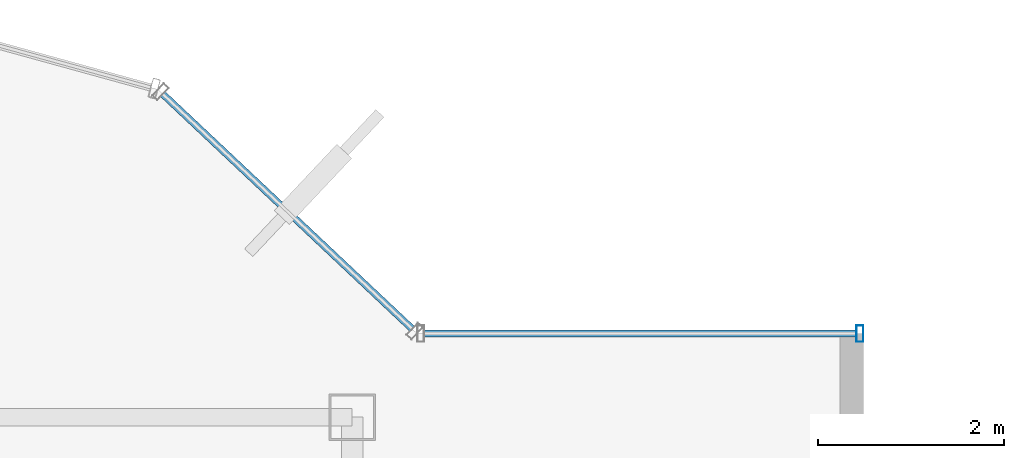
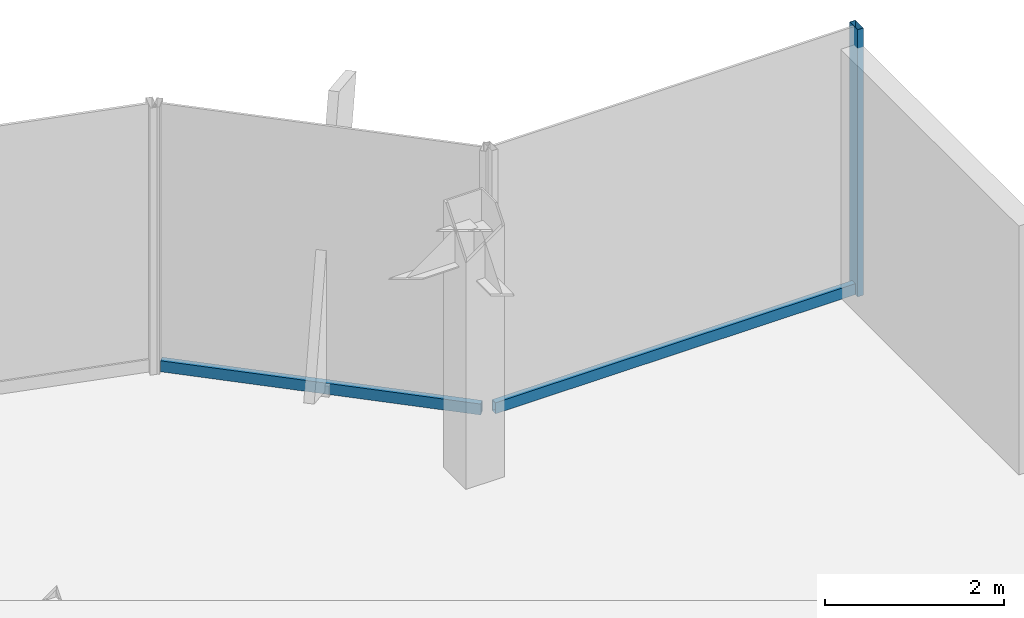
# One storey, part 15 of 22: 3 members, 2 elements without a shape of their own.
"""IFC4 building model written with IfcOpenShell, lengths in metres."""

from ifc_helpers import new_model, si_unit, derived_unit, direction, frame, origin, origin_2d, place, context, subcontext, project, spatial, hollow_rectangle, extrude, source, transform, mapped, material, material_profile, profile_set, type_object, element, aggregate, save


model = new_model("IFC4")

# Units and contexts
model_context = context("Model", 3, precision=1e-05, world=origin(), true_north=direction((0.0, 1.0)))
body_context = subcontext(model_context, "Body", "Model", "MODEL_VIEW")
ifc_project = project(units=[si_unit("LENGTHUNIT", "METRE"), si_unit("AREAUNIT", "SQUARE_METRE"), si_unit("VOLUMEUNIT", "CUBIC_METRE"), si_unit("PLANEANGLEUNIT", "RADIAN"), si_unit("MASSUNIT", "GRAM", prefix="KILO"), derived_unit("THERMALTRANSMITTANCEUNIT", [(si_unit("POWERUNIT", "WATT"), 1), (si_unit("LENGTHUNIT", "METRE"), -2), (si_unit("THERMODYNAMICTEMPERATUREUNIT", "KELVIN"), -1)])], contexts=[model_context])

# Site, building, storey
site_placement = place(None, origin())
site = spatial("IfcSite", under=ifc_project, at=site_placement, CompositionType="ELEMENT")
building_placement = place(site_placement, origin())
building = spatial("IfcBuilding", under=site, at=building_placement, Name="Skarnbrae Concourse Arena and Tower", CompositionType="ELEMENT")
storey_placement = place(building_placement, frame((0.0, 0.0, 214.14990234375)))
storey = spatial("IfcBuildingStorey", under=building, at=storey_placement, Name="L55", CompositionType="ELEMENT", Elevation=214.14990234375)

# Curtain wall, member
ifc_material = material(Name="Bronze anodised aluminium 6063-T6", Category="aluminium")
curtain_wall_type = type_object("IfcCurtainWallType", Name="CW-SYS-05-HIGHZONE", PredefinedType="USERDEFINED", material=ifc_material)
curtain_wall_1_placement = place(storey_placement, origin())
curtain_wall_1 = element("IfcCurtainWall", 1, at=curtain_wall_1_placement, inside=storey, type_object=curtain_wall_type, Name="L55 Unitised curtain wall CW-L55-E07", ObjectType="UNITISED CURTAIN WALL", PredefinedType="USERDEFINED")
ifc_material_profile_1 = material_profile(ifc_material, hollow_rectangle(XDim=0.074951171875, YDim=0.14990234375, WallThickness=0.00390625, at=origin_2d()), Name="ALU-TRAN-75X150")
ifc_profile_set_1 = profile_set([ifc_material_profile_1], Name="Bronze anodised aluminium 6063-T6")
member_type_1 = type_object("IfcMemberType", Name="CWT-CW-05", PredefinedType="USERDEFINED", material=ifc_profile_set_1)
shared_shape_1 = source(origin(), body_context, "Body", "SweptSolid", [
    extrude(hollow_rectangle(XDim=0.074951171875, YDim=0.14990234375, WallThickness=0.00390625, at=origin_2d()), origin(), (0.0, 0.0, 1.0), 4.650146484375),
])
member_1_placement = place(storey_placement, frame((38.925048828125, 35.300048828125, 0.0751953125), z_axis=(-1.0, 0.0, 0.0), x_axis=(0.0, -1.0, 0.0)))
member_1 = element("IfcMember", 2, at=member_1_placement, type_object=member_type_1, Name="CW-L55-E07 Transom 1", ObjectType="TRANSOM", PredefinedType="USERDEFINED", context=body_context, shape_type="MappedRepresentation", body=[
    mapped(shared_shape_1, transform((0.0, 0.0, 0.0))),
])

curtain_wall_2_placement = place(storey_placement, origin())
curtain_wall_2 = element("IfcCurtainWall", 3, at=curtain_wall_2_placement, inside=storey, type_object=curtain_wall_type, Name="L55 Unitised curtain wall CW-L55-E08", ObjectType="UNITISED CURTAIN WALL", PredefinedType="USERDEFINED")
shared_shape_2 = source(origin(), body_context, "Body", "SweptSolid", [
    extrude(hollow_rectangle(XDim=0.074951171875, YDim=0.14990234375, WallThickness=0.00390625, at=origin_2d()), origin(), (0.0, 0.0, 1.0), 3.68212890625),
])
member_2_placement = place(storey_placement, frame((34.1455078125, 35.351318359375, 0.0751953125), z_axis=(-0.728133808476, 0.685435012933, 0.0), x_axis=(-0.685435012933, -0.728133808476, 0.0)))
member_2 = element("IfcMember", 4, at=member_2_placement, type_object=member_type_1, Name="CW-L55-E08 Transom 1", ObjectType="TRANSOM", PredefinedType="USERDEFINED", context=body_context, shape_type="MappedRepresentation", body=[
    mapped(shared_shape_2, transform((0.0, 0.0, 0.0))),
])
aggregate(curtain_wall_2, [member_2])

# Member
ifc_material_profile_2 = material_profile(ifc_material, hollow_rectangle(XDim=0.074951171875, YDim=0.179931640625, WallThickness=0.00390625, at=origin_2d()), Name="ALU-MULL-75X180")
ifc_profile_set_2 = profile_set([ifc_material_profile_2], Name="Bronze anodised aluminium 6063-T6")
member_type_2 = type_object("IfcMemberType", Name="CWM-CW-05", PredefinedType="MULLION", material=ifc_profile_set_2)
shared_shape_3 = source(origin(), body_context, "Body", "SweptSolid", [
    extrude(hollow_rectangle(XDim=0.074951171875, YDim=0.179931640625, WallThickness=0.00390625, at=origin_2d()), origin(), (0.0, 0.0, 1.0), 3.650146484375),
])
member_3_placement = place(storey_placement, frame((38.96240234375, 35.300048828125, 0.0), z_axis=(0.0, 0.0, 1.0), x_axis=(-1.0, 0.0, 0.0)))
member_3 = element("IfcMember", 5, at=member_3_placement, type_object=member_type_2, Name="CW-L55-E07 Mullion 1", PredefinedType="MULLION", context=body_context, shape_type="MappedRepresentation", body=[
    mapped(shared_shape_3, transform((0.0, 0.0, 0.0))),
])

aggregate(curtain_wall_1, [member_3, member_1])

save(model, "model.ifc")
